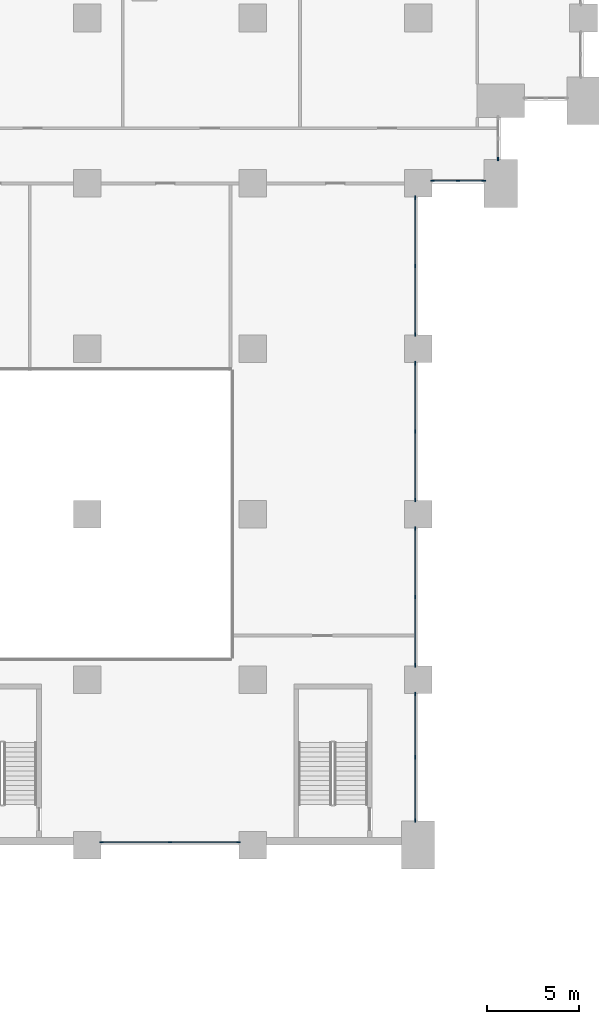
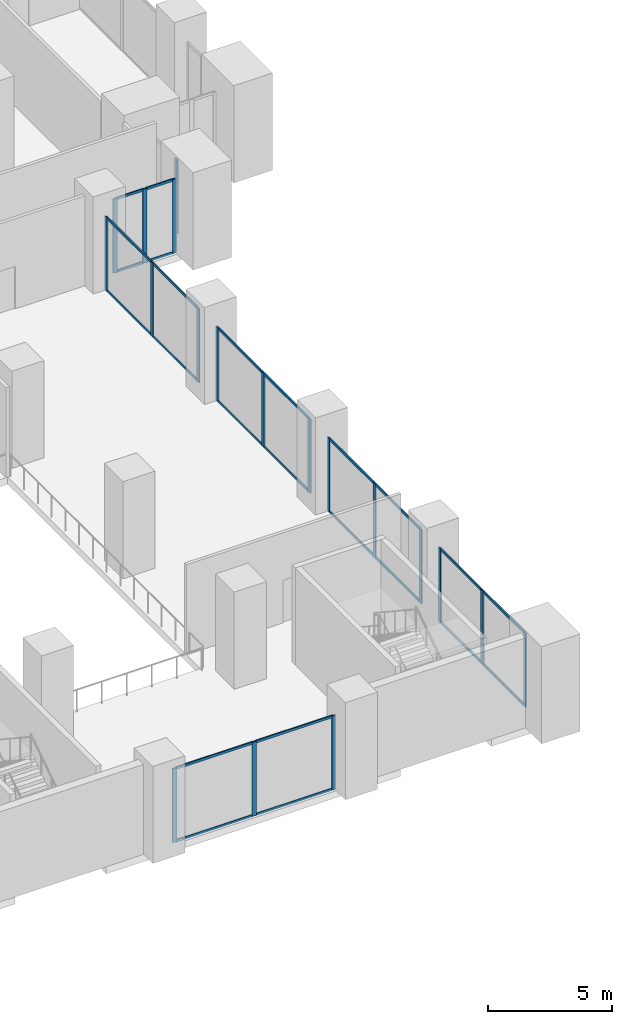
# One storey, part 4 of 49: 43 members, 7 elements without a shape of their own.
"""IFC4 building model written with IfcOpenShell, lengths in metres."""

from ifc_helpers import new_model, si_unit, direction, frame, origin, origin_2d, place, context, subcontext, project, spatial, rectangle, extrude, material, material_profile, profile_set, type_object, element, aggregate, save


model = new_model("IFC4")

# Units and contexts
model_context = context("Model", 3, precision=1e-05, world=origin(), true_north=direction((0.0, 1.0)))
body_context = subcontext(model_context, "Body", "Model", "MODEL_VIEW")
ifc_project = project(units=[si_unit("LENGTHUNIT", "METRE"), si_unit("AREAUNIT", "SQUARE_METRE"), si_unit("VOLUMEUNIT", "CUBIC_METRE"), si_unit("PLANEANGLEUNIT", "RADIAN"), si_unit("MASSUNIT", "GRAM", prefix="KILO")], contexts=[model_context])

# Site, building, storey
site_placement = place(None, origin())
site = spatial("IfcSite", under=ifc_project, at=site_placement, CompositionType="ELEMENT")
building_placement = place(site_placement, origin())
building = spatial("IfcBuilding", under=site, at=building_placement, Name="Hunhe Ridgeline Campus", CompositionType="ELEMENT")
storey_placement = place(building_placement, frame((0.0, 0.0, 21.60009765625)))
storey = spatial("IfcBuildingStorey", under=building, at=storey_placement, Name="L04", CompositionType="ELEMENT", Elevation=21.60009765625)

# Curtain wall, members
ifc_material_1 = material(Name="Aluminium and glass", Category="aluminium")
curtain_wall_type = type_object("IfcCurtainWallType", Name="Podium curtain wall CW-2", PredefinedType="NOTDEFINED", material=ifc_material_1)
curtain_wall_1_placement = place(storey_placement, origin())
curtain_wall_1 = element("IfcCurtainWall", 1, at=curtain_wall_1_placement, inside=storey, type_object=curtain_wall_type, Name="L04 podium curtain wall 1", PredefinedType="NOTDEFINED")
ifc_material_2 = material(Name="Aluminium", Category="aluminium")
ifc_material_profile_1 = material_profile(ifc_material_2, rectangle(XDim=0.06005859375, YDim=0.199951171875, at=origin_2d()))
ifc_profile_set_1 = profile_set([ifc_material_profile_1], Name="Aluminium")
member_type_1 = type_object("IfcMemberType", Name="CW-2 mullion 60x200", PredefinedType="MULLION", material=ifc_profile_set_1)
member_1_placement = place(storey_placement, frame((90.780029296875, 54.14990234375, 0.0), z_axis=(0.0, 0.0, 1.0), x_axis=(0.0, 1.0, 0.0)))
member_1 = element("IfcMember", 2, at=member_1_placement, type_object=member_type_1, Name="CW2 mullion 1", PredefinedType="MULLION", context=body_context, shape_type="SweptSolid", body=[
    extrude(rectangle(XDim=0.06005859375, YDim=0.199951171875, at=origin_2d()), origin(), (0.0, 0.0, 1.0), 3.64990234375),
])
member_2_placement = place(storey_placement, frame((92.175048828125, 54.14990234375, 0.0), z_axis=(0.0, 0.0, 1.0), x_axis=(0.0, 1.0, 0.0)))
member_2 = element("IfcMember", 3, at=member_2_placement, type_object=member_type_1, Name="CW2 mullion 2", PredefinedType="MULLION", context=body_context, shape_type="SweptSolid", body=[
    extrude(rectangle(XDim=0.06005859375, YDim=0.199951171875, at=origin_2d()), origin(), (0.0, 0.0, 1.0), 3.64990234375),
])
member_3_placement = place(storey_placement, frame((93.570068359375, 54.14990234375, 0.0), z_axis=(0.0, 0.0, 1.0), x_axis=(0.0, 1.0, 0.0)))
member_3 = element("IfcMember", 4, at=member_3_placement, type_object=member_type_1, Name="CW2 mullion 3", PredefinedType="MULLION", context=body_context, shape_type="SweptSolid", body=[
    extrude(rectangle(XDim=0.06005859375, YDim=0.199951171875, at=origin_2d()), origin(), (0.0, 0.0, 1.0), 3.64990234375),
])

# Curtain wall, member
curtain_wall_2_placement = place(storey_placement, origin())
curtain_wall_2 = element("IfcCurtainWall", 5, at=curtain_wall_2_placement, inside=storey, type_object=curtain_wall_type, Name="L04 podium curtain wall 2", PredefinedType="NOTDEFINED")
member_4_placement = place(storey_placement, frame((94.35009765625, 55.330078125, 0.0), z_axis=(0.0, 0.0, 1.0), x_axis=(-1.0, 0.0, 0.0)))
member_4 = element("IfcMember", 6, at=member_4_placement, type_object=member_type_1, Name="CW2 mullion 1", PredefinedType="MULLION", context=body_context, shape_type="SweptSolid", body=[
    extrude(rectangle(XDim=0.06005859375, YDim=0.199951171875, at=origin_2d()), origin(), (0.0, 0.0, 1.0), 3.64990234375),
])
aggregate(curtain_wall_2, [member_4])

# Curtain wall, members
curtain_wall_3_placement = place(storey_placement, origin())
curtain_wall_3 = element("IfcCurtainWall", 7, at=curtain_wall_3_placement, inside=storey, type_object=curtain_wall_type, Name="L04 podium curtain wall 19", PredefinedType="NOTDEFINED")
member_5_placement = place(storey_placement, frame((72.780029296875, 18.14990234375, 0.0), z_axis=(0.0, 0.0, 1.0), x_axis=(0.0, 1.0, 0.0)))
member_5 = element("IfcMember", 8, at=member_5_placement, type_object=member_type_1, Name="CW2 mullion 1", PredefinedType="MULLION", context=body_context, shape_type="SweptSolid", body=[
    extrude(rectangle(XDim=0.06005859375, YDim=0.199951171875, at=origin_2d()), origin(), (0.0, 0.0, 1.0), 3.64990234375),
])
member_6_placement = place(storey_placement, frame((76.5, 18.14990234375, 0.0), z_axis=(0.0, 0.0, 1.0), x_axis=(0.0, 1.0, 0.0)))
member_6 = element("IfcMember", 9, at=member_6_placement, type_object=member_type_1, Name="CW2 mullion 2", PredefinedType="MULLION", context=body_context, shape_type="SweptSolid", body=[
    extrude(rectangle(XDim=0.06005859375, YDim=0.199951171875, at=origin_2d()), origin(), (0.0, 0.0, 1.0), 3.64990234375),
])
member_7_placement = place(storey_placement, frame((80.219970703125, 18.14990234375, 0.0), z_axis=(0.0, 0.0, 1.0), x_axis=(0.0, 1.0, 0.0)))
member_7 = element("IfcMember", 10, at=member_7_placement, type_object=member_type_1, Name="CW2 mullion 3", PredefinedType="MULLION", context=body_context, shape_type="SweptSolid", body=[
    extrude(rectangle(XDim=0.06005859375, YDim=0.199951171875, at=origin_2d()), origin(), (0.0, 0.0, 1.0), 3.64990234375),
])

curtain_wall_4_placement = place(storey_placement, origin())
curtain_wall_4 = element("IfcCurtainWall", 11, at=curtain_wall_4_placement, inside=storey, type_object=curtain_wall_type, Name="L04 podium curtain wall 21", PredefinedType="NOTDEFINED")
member_8_placement = place(storey_placement, frame((89.85009765625, 19.330078125, 0.0), z_axis=(0.0, 0.0, 1.0), x_axis=(-1.0, 0.0, 0.0)))
member_8 = element("IfcMember", 12, at=member_8_placement, type_object=member_type_1, Name="CW2 mullion 1", PredefinedType="MULLION", context=body_context, shape_type="SweptSolid", body=[
    extrude(rectangle(XDim=0.06005859375, YDim=0.199951171875, at=origin_2d()), origin(), (0.0, 0.0, 1.0), 3.64990234375),
])
member_9_placement = place(storey_placement, frame((89.85009765625, 22.77490234375, 0.0), z_axis=(0.0, 0.0, 1.0), x_axis=(-1.0, 0.0, 0.0)))
member_9 = element("IfcMember", 13, at=member_9_placement, type_object=member_type_1, Name="CW2 mullion 2", PredefinedType="MULLION", context=body_context, shape_type="SweptSolid", body=[
    extrude(rectangle(XDim=0.06005859375, YDim=0.199951171875, at=origin_2d()), origin(), (0.0, 0.0, 1.0), 3.64990234375),
])
member_10_placement = place(storey_placement, frame((89.85009765625, 26.219970703125, 0.0), z_axis=(0.0, 0.0, 1.0), x_axis=(-1.0, 0.0, 0.0)))
member_10 = element("IfcMember", 14, at=member_10_placement, type_object=member_type_1, Name="CW2 mullion 3", PredefinedType="MULLION", context=body_context, shape_type="SweptSolid", body=[
    extrude(rectangle(XDim=0.06005859375, YDim=0.199951171875, at=origin_2d()), origin(), (0.0, 0.0, 1.0), 3.64990234375),
])

curtain_wall_5_placement = place(storey_placement, origin())
curtain_wall_5 = element("IfcCurtainWall", 15, at=curtain_wall_5_placement, inside=storey, type_object=curtain_wall_type, Name="L04 podium curtain wall 22", PredefinedType="NOTDEFINED")
member_11_placement = place(storey_placement, frame((89.85009765625, 27.780029296875, 0.0), z_axis=(0.0, 0.0, 1.0), x_axis=(-1.0, 0.0, 0.0)))
member_11 = element("IfcMember", 16, at=member_11_placement, type_object=member_type_1, Name="CW2 mullion 1", PredefinedType="MULLION", context=body_context, shape_type="SweptSolid", body=[
    extrude(rectangle(XDim=0.06005859375, YDim=0.199951171875, at=origin_2d()), origin(), (0.0, 0.0, 1.0), 3.64990234375),
])
member_12_placement = place(storey_placement, frame((89.85009765625, 31.5, 0.0), z_axis=(0.0, 0.0, 1.0), x_axis=(-1.0, 0.0, 0.0)))
member_12 = element("IfcMember", 17, at=member_12_placement, type_object=member_type_1, Name="CW2 mullion 2", PredefinedType="MULLION", context=body_context, shape_type="SweptSolid", body=[
    extrude(rectangle(XDim=0.06005859375, YDim=0.199951171875, at=origin_2d()), origin(), (0.0, 0.0, 1.0), 3.64990234375),
])
member_13_placement = place(storey_placement, frame((89.85009765625, 35.219970703125, 0.0), z_axis=(0.0, 0.0, 1.0), x_axis=(-1.0, 0.0, 0.0)))
member_13 = element("IfcMember", 18, at=member_13_placement, type_object=member_type_1, Name="CW2 mullion 3", PredefinedType="MULLION", context=body_context, shape_type="SweptSolid", body=[
    extrude(rectangle(XDim=0.06005859375, YDim=0.199951171875, at=origin_2d()), origin(), (0.0, 0.0, 1.0), 3.64990234375),
])

curtain_wall_6_placement = place(storey_placement, origin())
curtain_wall_6 = element("IfcCurtainWall", 19, at=curtain_wall_6_placement, inside=storey, type_object=curtain_wall_type, Name="L04 podium curtain wall 23", PredefinedType="NOTDEFINED")
member_14_placement = place(storey_placement, frame((89.85009765625, 36.780029296875, 0.0), z_axis=(0.0, 0.0, 1.0), x_axis=(-1.0, 0.0, 0.0)))
member_14 = element("IfcMember", 20, at=member_14_placement, type_object=member_type_1, Name="CW2 mullion 1", PredefinedType="MULLION", context=body_context, shape_type="SweptSolid", body=[
    extrude(rectangle(XDim=0.06005859375, YDim=0.199951171875, at=origin_2d()), origin(), (0.0, 0.0, 1.0), 3.64990234375),
])
member_15_placement = place(storey_placement, frame((89.85009765625, 40.5, 0.0), z_axis=(0.0, 0.0, 1.0), x_axis=(-1.0, 0.0, 0.0)))
member_15 = element("IfcMember", 21, at=member_15_placement, type_object=member_type_1, Name="CW2 mullion 2", PredefinedType="MULLION", context=body_context, shape_type="SweptSolid", body=[
    extrude(rectangle(XDim=0.06005859375, YDim=0.199951171875, at=origin_2d()), origin(), (0.0, 0.0, 1.0), 3.64990234375),
])
member_16_placement = place(storey_placement, frame((89.85009765625, 44.219970703125, 0.0), z_axis=(0.0, 0.0, 1.0), x_axis=(-1.0, 0.0, 0.0)))
member_16 = element("IfcMember", 22, at=member_16_placement, type_object=member_type_1, Name="CW2 mullion 3", PredefinedType="MULLION", context=body_context, shape_type="SweptSolid", body=[
    extrude(rectangle(XDim=0.06005859375, YDim=0.199951171875, at=origin_2d()), origin(), (0.0, 0.0, 1.0), 3.64990234375),
])

curtain_wall_7_placement = place(storey_placement, origin())
curtain_wall_7 = element("IfcCurtainWall", 23, at=curtain_wall_7_placement, inside=storey, type_object=curtain_wall_type, Name="L04 podium curtain wall 24", PredefinedType="NOTDEFINED")
member_17_placement = place(storey_placement, frame((89.85009765625, 45.780029296875, 0.0), z_axis=(0.0, 0.0, 1.0), x_axis=(-1.0, 0.0, 0.0)))
member_17 = element("IfcMember", 24, at=member_17_placement, type_object=member_type_1, Name="CW2 mullion 1", PredefinedType="MULLION", context=body_context, shape_type="SweptSolid", body=[
    extrude(rectangle(XDim=0.06005859375, YDim=0.199951171875, at=origin_2d()), origin(), (0.0, 0.0, 1.0), 3.64990234375),
])
member_18_placement = place(storey_placement, frame((89.85009765625, 49.5, 0.0), z_axis=(0.0, 0.0, 1.0), x_axis=(-1.0, 0.0, 0.0)))
member_18 = element("IfcMember", 25, at=member_18_placement, type_object=member_type_1, Name="CW2 mullion 2", PredefinedType="MULLION", context=body_context, shape_type="SweptSolid", body=[
    extrude(rectangle(XDim=0.06005859375, YDim=0.199951171875, at=origin_2d()), origin(), (0.0, 0.0, 1.0), 3.64990234375),
])
member_19_placement = place(storey_placement, frame((89.85009765625, 53.219970703125, 0.0), z_axis=(0.0, 0.0, 1.0), x_axis=(-1.0, 0.0, 0.0)))
member_19 = element("IfcMember", 26, at=member_19_placement, type_object=member_type_1, Name="CW2 mullion 3", PredefinedType="MULLION", context=body_context, shape_type="SweptSolid", body=[
    extrude(rectangle(XDim=0.06005859375, YDim=0.199951171875, at=origin_2d()), origin(), (0.0, 0.0, 1.0), 3.64990234375),
])

# Member
ifc_material_profile_2 = material_profile(ifc_material_2, rectangle(XDim=0.06005859375, YDim=0.1201171875, at=origin_2d()))
ifc_profile_set_2 = profile_set([ifc_material_profile_2], Name="Aluminium")
member_type_2 = type_object("IfcMemberType", Name="CW-2 transom 60x120", PredefinedType="USERDEFINED", material=ifc_profile_set_2)
member_20_placement = place(storey_placement, frame((90.81005859375, 54.14990234375, 0.02978515625), z_axis=(1.0, 0.0, 0.0), x_axis=(0.0, 1.0, 0.0)))
member_20 = element("IfcMember", 27, at=member_20_placement, type_object=member_type_2, Name="CW2 transom 1.1", ObjectType="TRANSOM", PredefinedType="USERDEFINED", context=body_context, shape_type="SweptSolid", body=[
    extrude(rectangle(XDim=0.06005859375, YDim=0.1201171875, at=origin_2d()), origin(), (0.0, 0.0, 1.0), 1.3349609375),
])

member_21_placement = place(storey_placement, frame((90.81005859375, 54.14990234375, 3.619873046875), z_axis=(1.0, 0.0, 0.0), x_axis=(0.0, 1.0, 0.0)))
member_21 = element("IfcMember", 28, at=member_21_placement, type_object=member_type_2, Name="CW2 transom 1.2", ObjectType="TRANSOM", PredefinedType="USERDEFINED", context=body_context, shape_type="SweptSolid", body=[
    extrude(rectangle(XDim=0.06005859375, YDim=0.1201171875, at=origin_2d()), origin(), (0.0, 0.0, 1.0), 1.3349609375),
])

member_22_placement = place(storey_placement, frame((92.205078125, 54.14990234375, 0.02978515625), z_axis=(1.0, 0.0, 0.0), x_axis=(0.0, 1.0, 0.0)))
member_22 = element("IfcMember", 29, at=member_22_placement, type_object=member_type_2, Name="CW2 transom 2.1", ObjectType="TRANSOM", PredefinedType="USERDEFINED", context=body_context, shape_type="SweptSolid", body=[
    extrude(rectangle(XDim=0.06005859375, YDim=0.1201171875, at=origin_2d()), origin(), (0.0, 0.0, 1.0), 1.3349609375),
])

member_23_placement = place(storey_placement, frame((92.205078125, 54.14990234375, 3.619873046875), z_axis=(1.0, 0.0, 0.0), x_axis=(0.0, 1.0, 0.0)))
member_23 = element("IfcMember", 30, at=member_23_placement, type_object=member_type_2, Name="CW2 transom 2.2", ObjectType="TRANSOM", PredefinedType="USERDEFINED", context=body_context, shape_type="SweptSolid", body=[
    extrude(rectangle(XDim=0.06005859375, YDim=0.1201171875, at=origin_2d()), origin(), (0.0, 0.0, 1.0), 1.3349609375),
])

aggregate(curtain_wall_1, [member_1, member_2, member_3, member_20, member_21, member_22, member_23])

member_24_placement = place(storey_placement, frame((72.81005859375, 18.14990234375, 0.02978515625), z_axis=(1.0, 0.0, 0.0), x_axis=(0.0, 1.0, 0.0)))
member_24 = element("IfcMember", 31, at=member_24_placement, type_object=member_type_2, Name="CW2 transom 1.1", ObjectType="TRANSOM", PredefinedType="USERDEFINED", context=body_context, shape_type="SweptSolid", body=[
    extrude(rectangle(XDim=0.06005859375, YDim=0.1201171875, at=origin_2d()), origin(), (0.0, 0.0, 1.0), 3.659912109375),
])

member_25_placement = place(storey_placement, frame((72.81005859375, 18.14990234375, 3.619873046875), z_axis=(1.0, 0.0, 0.0), x_axis=(0.0, 1.0, 0.0)))
member_25 = element("IfcMember", 32, at=member_25_placement, type_object=member_type_2, Name="CW2 transom 1.2", ObjectType="TRANSOM", PredefinedType="USERDEFINED", context=body_context, shape_type="SweptSolid", body=[
    extrude(rectangle(XDim=0.06005859375, YDim=0.1201171875, at=origin_2d()), origin(), (0.0, 0.0, 1.0), 3.659912109375),
])

member_26_placement = place(storey_placement, frame((76.530029296875, 18.14990234375, 0.02978515625), z_axis=(1.0, 0.0, 0.0), x_axis=(0.0, 1.0, 0.0)))
member_26 = element("IfcMember", 33, at=member_26_placement, type_object=member_type_2, Name="CW2 transom 2.1", ObjectType="TRANSOM", PredefinedType="USERDEFINED", context=body_context, shape_type="SweptSolid", body=[
    extrude(rectangle(XDim=0.06005859375, YDim=0.1201171875, at=origin_2d()), origin(), (0.0, 0.0, 1.0), 3.659912109375),
])

member_27_placement = place(storey_placement, frame((76.530029296875, 18.14990234375, 3.619873046875), z_axis=(1.0, 0.0, 0.0), x_axis=(0.0, 1.0, 0.0)))
member_27 = element("IfcMember", 34, at=member_27_placement, type_object=member_type_2, Name="CW2 transom 2.2", ObjectType="TRANSOM", PredefinedType="USERDEFINED", context=body_context, shape_type="SweptSolid", body=[
    extrude(rectangle(XDim=0.06005859375, YDim=0.1201171875, at=origin_2d()), origin(), (0.0, 0.0, 1.0), 3.659912109375),
])

aggregate(curtain_wall_3, [member_5, member_6, member_7, member_24, member_25, member_26, member_27])

member_28_placement = place(storey_placement, frame((89.85009765625, 19.360107421875, 0.02978515625), z_axis=(0.0, 1.0, 0.0), x_axis=(-1.0, 0.0, 0.0)))
member_28 = element("IfcMember", 35, at=member_28_placement, type_object=member_type_2, Name="CW2 transom 1.1", ObjectType="TRANSOM", PredefinedType="USERDEFINED", context=body_context, shape_type="SweptSolid", body=[
    extrude(rectangle(XDim=0.06005859375, YDim=0.1201171875, at=origin_2d()), origin(), (0.0, 0.0, 1.0), 3.385009765625),
])

member_29_placement = place(storey_placement, frame((89.85009765625, 19.360107421875, 3.619873046875), z_axis=(0.0, 1.0, 0.0), x_axis=(-1.0, 0.0, 0.0)))
member_29 = element("IfcMember", 36, at=member_29_placement, type_object=member_type_2, Name="CW2 transom 1.2", ObjectType="TRANSOM", PredefinedType="USERDEFINED", context=body_context, shape_type="SweptSolid", body=[
    extrude(rectangle(XDim=0.06005859375, YDim=0.1201171875, at=origin_2d()), origin(), (0.0, 0.0, 1.0), 3.385009765625),
])

member_30_placement = place(storey_placement, frame((89.85009765625, 22.804931640625, 0.02978515625), z_axis=(0.0, 1.0, 0.0), x_axis=(-1.0, 0.0, 0.0)))
member_30 = element("IfcMember", 37, at=member_30_placement, type_object=member_type_2, Name="CW2 transom 2.1", ObjectType="TRANSOM", PredefinedType="USERDEFINED", context=body_context, shape_type="SweptSolid", body=[
    extrude(rectangle(XDim=0.06005859375, YDim=0.1201171875, at=origin_2d()), origin(), (0.0, 0.0, 1.0), 3.385009765625),
])

member_31_placement = place(storey_placement, frame((89.85009765625, 22.804931640625, 3.619873046875), z_axis=(0.0, 1.0, 0.0), x_axis=(-1.0, 0.0, 0.0)))
member_31 = element("IfcMember", 38, at=member_31_placement, type_object=member_type_2, Name="CW2 transom 2.2", ObjectType="TRANSOM", PredefinedType="USERDEFINED", context=body_context, shape_type="SweptSolid", body=[
    extrude(rectangle(XDim=0.06005859375, YDim=0.1201171875, at=origin_2d()), origin(), (0.0, 0.0, 1.0), 3.385009765625),
])

aggregate(curtain_wall_4, [member_8, member_9, member_10, member_28, member_29, member_30, member_31])

member_32_placement = place(storey_placement, frame((89.85009765625, 27.81005859375, 0.02978515625), z_axis=(0.0, 1.0, 0.0), x_axis=(-1.0, 0.0, 0.0)))
member_32 = element("IfcMember", 39, at=member_32_placement, type_object=member_type_2, Name="CW2 transom 1.1", ObjectType="TRANSOM", PredefinedType="USERDEFINED", context=body_context, shape_type="SweptSolid", body=[
    extrude(rectangle(XDim=0.06005859375, YDim=0.1201171875, at=origin_2d()), origin(), (0.0, 0.0, 1.0), 3.659912109375),
])

member_33_placement = place(storey_placement, frame((89.85009765625, 27.81005859375, 3.619873046875), z_axis=(0.0, 1.0, 0.0), x_axis=(-1.0, 0.0, 0.0)))
member_33 = element("IfcMember", 40, at=member_33_placement, type_object=member_type_2, Name="CW2 transom 1.2", ObjectType="TRANSOM", PredefinedType="USERDEFINED", context=body_context, shape_type="SweptSolid", body=[
    extrude(rectangle(XDim=0.06005859375, YDim=0.1201171875, at=origin_2d()), origin(), (0.0, 0.0, 1.0), 3.659912109375),
])

member_34_placement = place(storey_placement, frame((89.85009765625, 31.530029296875, 0.02978515625), z_axis=(0.0, 1.0, 0.0), x_axis=(-1.0, 0.0, 0.0)))
member_34 = element("IfcMember", 41, at=member_34_placement, type_object=member_type_2, Name="CW2 transom 2.1", ObjectType="TRANSOM", PredefinedType="USERDEFINED", context=body_context, shape_type="SweptSolid", body=[
    extrude(rectangle(XDim=0.06005859375, YDim=0.1201171875, at=origin_2d()), origin(), (0.0, 0.0, 1.0), 3.659912109375),
])

member_35_placement = place(storey_placement, frame((89.85009765625, 31.530029296875, 3.619873046875), z_axis=(0.0, 1.0, 0.0), x_axis=(-1.0, 0.0, 0.0)))
member_35 = element("IfcMember", 42, at=member_35_placement, type_object=member_type_2, Name="CW2 transom 2.2", ObjectType="TRANSOM", PredefinedType="USERDEFINED", context=body_context, shape_type="SweptSolid", body=[
    extrude(rectangle(XDim=0.06005859375, YDim=0.1201171875, at=origin_2d()), origin(), (0.0, 0.0, 1.0), 3.659912109375),
])

aggregate(curtain_wall_5, [member_11, member_12, member_13, member_32, member_33, member_34, member_35])

member_36_placement = place(storey_placement, frame((89.85009765625, 36.81005859375, 0.02978515625), z_axis=(0.0, 1.0, 0.0), x_axis=(-1.0, 0.0, 0.0)))
member_36 = element("IfcMember", 43, at=member_36_placement, type_object=member_type_2, Name="CW2 transom 1.1", ObjectType="TRANSOM", PredefinedType="USERDEFINED", context=body_context, shape_type="SweptSolid", body=[
    extrude(rectangle(XDim=0.06005859375, YDim=0.1201171875, at=origin_2d()), origin(), (0.0, 0.0, 1.0), 3.659912109375),
])

member_37_placement = place(storey_placement, frame((89.85009765625, 36.81005859375, 3.619873046875), z_axis=(0.0, 1.0, 0.0), x_axis=(-1.0, 0.0, 0.0)))
member_37 = element("IfcMember", 44, at=member_37_placement, type_object=member_type_2, Name="CW2 transom 1.2", ObjectType="TRANSOM", PredefinedType="USERDEFINED", context=body_context, shape_type="SweptSolid", body=[
    extrude(rectangle(XDim=0.06005859375, YDim=0.1201171875, at=origin_2d()), origin(), (0.0, 0.0, 1.0), 3.659912109375),
])

member_38_placement = place(storey_placement, frame((89.85009765625, 40.530029296875, 0.02978515625), z_axis=(0.0, 1.0, 0.0), x_axis=(-1.0, 0.0, 0.0)))
member_38 = element("IfcMember", 45, at=member_38_placement, type_object=member_type_2, Name="CW2 transom 2.1", ObjectType="TRANSOM", PredefinedType="USERDEFINED", context=body_context, shape_type="SweptSolid", body=[
    extrude(rectangle(XDim=0.06005859375, YDim=0.1201171875, at=origin_2d()), origin(), (0.0, 0.0, 1.0), 3.659912109375),
])

member_39_placement = place(storey_placement, frame((89.85009765625, 40.530029296875, 3.619873046875), z_axis=(0.0, 1.0, 0.0), x_axis=(-1.0, 0.0, 0.0)))
member_39 = element("IfcMember", 46, at=member_39_placement, type_object=member_type_2, Name="CW2 transom 2.2", ObjectType="TRANSOM", PredefinedType="USERDEFINED", context=body_context, shape_type="SweptSolid", body=[
    extrude(rectangle(XDim=0.06005859375, YDim=0.1201171875, at=origin_2d()), origin(), (0.0, 0.0, 1.0), 3.659912109375),
])

aggregate(curtain_wall_6, [member_14, member_15, member_16, member_36, member_37, member_38, member_39])

member_40_placement = place(storey_placement, frame((89.85009765625, 45.81005859375, 0.02978515625), z_axis=(0.0, 1.0, 0.0), x_axis=(-1.0, 0.0, 0.0)))
member_40 = element("IfcMember", 47, at=member_40_placement, type_object=member_type_2, Name="CW2 transom 1.1", ObjectType="TRANSOM", PredefinedType="USERDEFINED", context=body_context, shape_type="SweptSolid", body=[
    extrude(rectangle(XDim=0.06005859375, YDim=0.1201171875, at=origin_2d()), origin(), (0.0, 0.0, 1.0), 3.659912109375),
])

member_41_placement = place(storey_placement, frame((89.85009765625, 45.81005859375, 3.619873046875), z_axis=(0.0, 1.0, 0.0), x_axis=(-1.0, 0.0, 0.0)))
member_41 = element("IfcMember", 48, at=member_41_placement, type_object=member_type_2, Name="CW2 transom 1.2", ObjectType="TRANSOM", PredefinedType="USERDEFINED", context=body_context, shape_type="SweptSolid", body=[
    extrude(rectangle(XDim=0.06005859375, YDim=0.1201171875, at=origin_2d()), origin(), (0.0, 0.0, 1.0), 3.659912109375),
])

member_42_placement = place(storey_placement, frame((89.85009765625, 49.530029296875, 0.02978515625), z_axis=(0.0, 1.0, 0.0), x_axis=(-1.0, 0.0, 0.0)))
member_42 = element("IfcMember", 49, at=member_42_placement, type_object=member_type_2, Name="CW2 transom 2.1", ObjectType="TRANSOM", PredefinedType="USERDEFINED", context=body_context, shape_type="SweptSolid", body=[
    extrude(rectangle(XDim=0.06005859375, YDim=0.1201171875, at=origin_2d()), origin(), (0.0, 0.0, 1.0), 3.659912109375),
])

member_43_placement = place(storey_placement, frame((89.85009765625, 49.530029296875, 3.619873046875), z_axis=(0.0, 1.0, 0.0), x_axis=(-1.0, 0.0, 0.0)))
member_43 = element("IfcMember", 50, at=member_43_placement, type_object=member_type_2, Name="CW2 transom 2.2", ObjectType="TRANSOM", PredefinedType="USERDEFINED", context=body_context, shape_type="SweptSolid", body=[
    extrude(rectangle(XDim=0.06005859375, YDim=0.1201171875, at=origin_2d()), origin(), (0.0, 0.0, 1.0), 3.659912109375),
])

aggregate(curtain_wall_7, [member_17, member_18, member_19, member_40, member_41, member_42, member_43])

save(model, "model.ifc")
